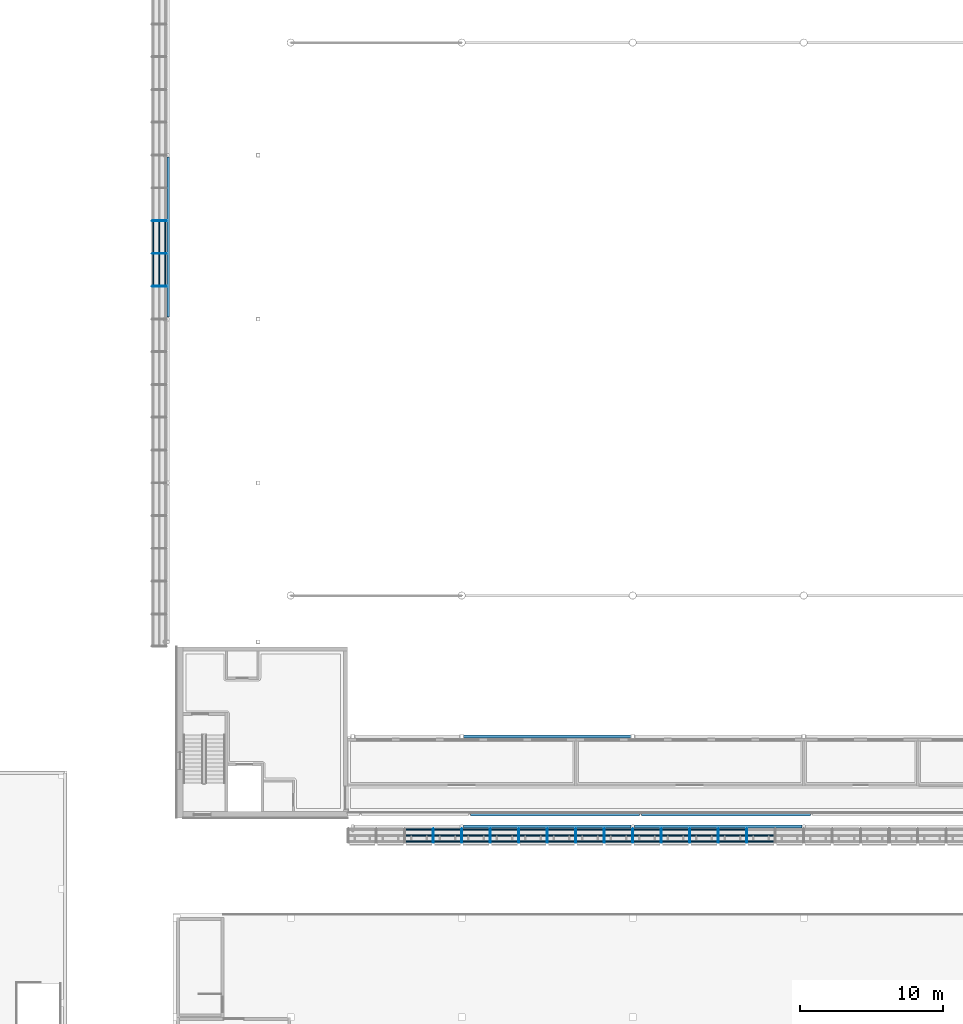
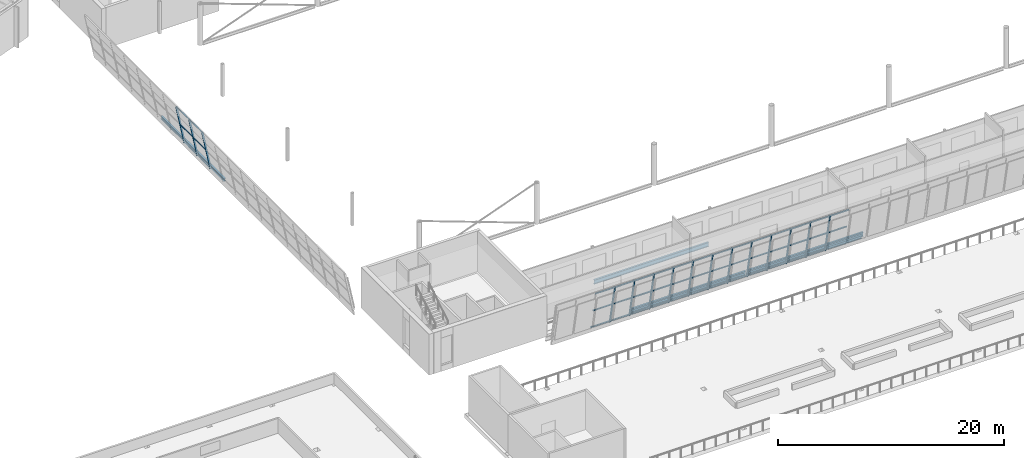
# One storey, part 18 of 95: 59 members, 6 beams, 2 elements without a shape of their own.
"""IFC4 building model written with IfcOpenShell, lengths in metres."""

from ifc_helpers import new_model, si_unit, direction, frame, origin, origin_2d, place, context, subcontext, project, spatial, rectangle, i_section, extrude, material, layer, layer_set, material_profile, profile_set, type_object, element, aggregate, save


model = new_model("IFC4")

# Units and contexts
model_context = context("Model", 3, precision=1e-05, world=origin(), true_north=direction((0.0, 1.0)))
body_context = subcontext(model_context, "Body", "Model", "MODEL_VIEW")
ifc_project = project(units=[si_unit("LENGTHUNIT", "METRE"), si_unit("AREAUNIT", "SQUARE_METRE"), si_unit("VOLUMEUNIT", "CUBIC_METRE"), si_unit("PLANEANGLEUNIT", "RADIAN"), si_unit("MASSUNIT", "GRAM", prefix="KILO")], contexts=[model_context])

# Site, building, storey
site_placement = place(None, origin())
site = spatial("IfcSite", under=ifc_project, at=site_placement, CompositionType="ELEMENT")
building_placement = place(site_placement, origin())
building = spatial("IfcBuilding", under=site, at=building_placement, Name="Windward Yard Aquatics Centre", CompositionType="ELEMENT")
storey_placement = place(building_placement, frame((0.0, 0.0, 9.39990234375)))
storey = spatial("IfcBuildingStorey", under=building, at=storey_placement, Name="L02", CompositionType="ELEMENT", Elevation=9.39990234375)

# Curtain wall, members
ifc_material_1 = material(Name="Glass and aluminium curtain wall", Category="aluminium")
ifc_layer = layer(ifc_material_1, 0.179931640625)
ifc_layer_set = layer_set([ifc_layer], Name="H curtain wall tier 1 double glazed 8+16+8")
curtain_wall_type = type_object("IfcCurtainWallType", Name="H curtain wall tier 1 double glazed 8+16+8", PredefinedType="NOTDEFINED", material=ifc_layer_set)
curtain_wall_1_placement = place(storey_placement, origin())
curtain_wall_1 = element("IfcCurtainWall", 1, at=curtain_wall_1_placement, inside=storey, type_object=curtain_wall_type, Name="Tier 1 glazing S L02", PredefinedType="NOTDEFINED")
ifc_material_2 = material(Name="Aluminium 6063-T6 anodised", Category="aluminium")
ifc_material_profile_1 = material_profile(ifc_material_2, rectangle(XDim=0.06494140625, YDim=0.179931640625, at=origin_2d()), Name="H CW mullion 65x180")
ifc_profile_set_1 = profile_set([ifc_material_profile_1], Name="Aluminium 6063-T6 anodised")
member_type_1 = type_object("IfcMemberType", Name="H CW mullion 65x180", PredefinedType="MULLION", material=ifc_profile_set_1)
member_1_placement = place(storey_placement, frame((69.999267578125, 25.196533203125, 0.0), z_axis=(0.0, -0.199322032497, 0.979934042352), x_axis=(1.0, 0.0, 0.0)))
member_1 = element("IfcMember", 2, at=member_1_placement, type_object=member_type_1, Name="G1SA mullion 4", PredefinedType="MULLION", context=body_context, shape_type="SweptSolid", body=[
    extrude(rectangle(XDim=0.06494140625, YDim=0.179931640625, at=origin_2d()), origin(), (0.0, 0.0, 1.0), 4.31884765625),
])
member_2_placement = place(storey_placement, frame((71.9990234375, 25.196533203125, 0.0), z_axis=(0.0, -0.199322032497, 0.979934042352), x_axis=(1.0, 0.0, 0.0)))
member_2 = element("IfcMember", 3, at=member_2_placement, type_object=member_type_1, Name="G1SA mullion 5", PredefinedType="MULLION", context=body_context, shape_type="SweptSolid", body=[
    extrude(rectangle(XDim=0.06494140625, YDim=0.179931640625, at=origin_2d()), origin(), (0.0, 0.0, 1.0), 4.31884765625),
])
member_3_placement = place(storey_placement, frame((73.998779296875, 25.196533203125, 0.0), z_axis=(0.0, -0.199322032497, 0.979934042352), x_axis=(1.0, 0.0, 0.0)))
member_3 = element("IfcMember", 4, at=member_3_placement, type_object=member_type_1, Name="G1SA mullion 6", PredefinedType="MULLION", context=body_context, shape_type="SweptSolid", body=[
    extrude(rectangle(XDim=0.06494140625, YDim=0.179931640625, at=origin_2d()), origin(), (0.0, 0.0, 1.0), 4.31884765625),
])
member_4_placement = place(storey_placement, frame((75.99853515625, 25.196533203125, 0.0), z_axis=(0.0, -0.199322032497, 0.979934042352), x_axis=(1.0, 0.0, 0.0)))
member_4 = element("IfcMember", 5, at=member_4_placement, type_object=member_type_1, Name="G1SA mullion 7", PredefinedType="MULLION", context=body_context, shape_type="SweptSolid", body=[
    extrude(rectangle(XDim=0.06494140625, YDim=0.179931640625, at=origin_2d()), origin(), (0.0, 0.0, 1.0), 4.31884765625),
])
member_5_placement = place(storey_placement, frame((77.998046875, 25.196533203125, 0.0), z_axis=(0.0, -0.199322032497, 0.979934042352), x_axis=(1.0, 0.0, 0.0)))
member_5 = element("IfcMember", 6, at=member_5_placement, type_object=member_type_1, Name="G1SA mullion 8", PredefinedType="MULLION", context=body_context, shape_type="SweptSolid", body=[
    extrude(rectangle(XDim=0.06494140625, YDim=0.179931640625, at=origin_2d()), origin(), (0.0, 0.0, 1.0), 4.31884765625),
])
member_6_placement = place(storey_placement, frame((79.997802734375, 25.196533203125, 0.0), z_axis=(0.0, -0.199322032497, 0.979934042352), x_axis=(1.0, 0.0, 0.0)))
member_6 = element("IfcMember", 7, at=member_6_placement, type_object=member_type_1, Name="G1SA mullion 9", PredefinedType="MULLION", context=body_context, shape_type="SweptSolid", body=[
    extrude(rectangle(XDim=0.06494140625, YDim=0.179931640625, at=origin_2d()), origin(), (0.0, 0.0, 1.0), 4.31884765625),
])
member_7_placement = place(storey_placement, frame((81.99755859375, 25.196533203125, 0.0), z_axis=(0.0, -0.199322032497, 0.979934042352), x_axis=(1.0, 0.0, 0.0)))
member_7 = element("IfcMember", 8, at=member_7_placement, type_object=member_type_1, Name="G1SA mullion 10", PredefinedType="MULLION", context=body_context, shape_type="SweptSolid", body=[
    extrude(rectangle(XDim=0.06494140625, YDim=0.179931640625, at=origin_2d()), origin(), (0.0, 0.0, 1.0), 4.31884765625),
])
member_8_placement = place(storey_placement, frame((83.997314453125, 25.196533203125, 0.0), z_axis=(0.0, -0.199322032497, 0.979934042352), x_axis=(1.0, 0.0, 0.0)))
member_8 = element("IfcMember", 9, at=member_8_placement, type_object=member_type_1, Name="G1SA mullion 11", PredefinedType="MULLION", context=body_context, shape_type="SweptSolid", body=[
    extrude(rectangle(XDim=0.06494140625, YDim=0.179931640625, at=origin_2d()), origin(), (0.0, 0.0, 1.0), 4.31884765625),
])
member_9_placement = place(storey_placement, frame((85.9970703125, 25.196533203125, 0.0), z_axis=(0.0, -0.199322032497, 0.979934042352), x_axis=(1.0, 0.0, 0.0)))
member_9 = element("IfcMember", 10, at=member_9_placement, type_object=member_type_1, Name="G1SA mullion 12", PredefinedType="MULLION", context=body_context, shape_type="SweptSolid", body=[
    extrude(rectangle(XDim=0.06494140625, YDim=0.179931640625, at=origin_2d()), origin(), (0.0, 0.0, 1.0), 4.31884765625),
])
member_10_placement = place(storey_placement, frame((87.996826171875, 25.196533203125, 0.0), z_axis=(0.0, -0.199322032497, 0.979934042352), x_axis=(1.0, 0.0, 0.0)))
member_10 = element("IfcMember", 11, at=member_10_placement, type_object=member_type_1, Name="G1SA mullion 13", PredefinedType="MULLION", context=body_context, shape_type="SweptSolid", body=[
    extrude(rectangle(XDim=0.06494140625, YDim=0.179931640625, at=origin_2d()), origin(), (0.0, 0.0, 1.0), 4.31884765625),
])
member_11_placement = place(storey_placement, frame((89.99658203125, 25.196533203125, 0.0), z_axis=(0.0, -0.199322032497, 0.979934042352), x_axis=(1.0, 0.0, 0.0)))
member_11 = element("IfcMember", 12, at=member_11_placement, type_object=member_type_1, Name="G1SA mullion 14", PredefinedType="MULLION", context=body_context, shape_type="SweptSolid", body=[
    extrude(rectangle(XDim=0.06494140625, YDim=0.179931640625, at=origin_2d()), origin(), (0.0, 0.0, 1.0), 4.31884765625),
])
member_12_placement = place(storey_placement, frame((91.996337890625, 25.196533203125, 0.0), z_axis=(0.0, -0.199322032497, 0.979934042352), x_axis=(1.0, 0.0, 0.0)))
member_12 = element("IfcMember", 13, at=member_12_placement, type_object=member_type_1, Name="G1SA mullion 15", PredefinedType="MULLION", context=body_context, shape_type="SweptSolid", body=[
    extrude(rectangle(XDim=0.06494140625, YDim=0.179931640625, at=origin_2d()), origin(), (0.0, 0.0, 1.0), 4.31884765625),
])

curtain_wall_2_placement = place(storey_placement, origin())
curtain_wall_2 = element("IfcCurtainWall", 14, at=curtain_wall_2_placement, inside=storey, type_object=curtain_wall_type, Name="Tier 1 glazing W L02", PredefinedType="NOTDEFINED")
member_13_placement = place(storey_placement, frame((51.196533203125, 63.300048828125, 0.0), z_axis=(-0.199322032497, 0.0, 0.979934042352), x_axis=(0.0, -1.0, 0.0)))
member_13 = element("IfcMember", 15, at=member_13_placement, type_object=member_type_1, Name="G1WA mullion 12", PredefinedType="MULLION", context=body_context, shape_type="SweptSolid", body=[
    extrude(rectangle(XDim=0.06494140625, YDim=0.179931640625, at=origin_2d()), origin(), (0.0, 0.0, 1.0), 4.31884765625),
])
member_14_placement = place(storey_placement, frame((51.196533203125, 65.60009765625, 0.0), z_axis=(-0.199322032497, 0.0, 0.979934042352), x_axis=(0.0, -1.0, 0.0)))
member_14 = element("IfcMember", 16, at=member_14_placement, type_object=member_type_1, Name="G1WA mullion 13", PredefinedType="MULLION", context=body_context, shape_type="SweptSolid", body=[
    extrude(rectangle(XDim=0.06494140625, YDim=0.179931640625, at=origin_2d()), origin(), (0.0, 0.0, 1.0), 4.31884765625),
])
member_15_placement = place(storey_placement, frame((51.196533203125, 67.89990234375, 0.0), z_axis=(-0.199322032497, 0.0, 0.979934042352), x_axis=(0.0, -1.0, 0.0)))
member_15 = element("IfcMember", 17, at=member_15_placement, type_object=member_type_1, Name="G1WA mullion 14", PredefinedType="MULLION", context=body_context, shape_type="SweptSolid", body=[
    extrude(rectangle(XDim=0.06494140625, YDim=0.179931640625, at=origin_2d()), origin(), (0.0, 0.0, 1.0), 4.31884765625),
])

# Member
ifc_material_profile_2 = material_profile(ifc_material_2, rectangle(XDim=0.06494140625, YDim=0.10009765625, at=origin_2d()), Name="H CW transom 65x100")
ifc_profile_set_2 = profile_set([ifc_material_profile_2], Name="Aluminium 6063-T6 anodised")
member_type_2 = type_object("IfcMemberType", Name="H CW transom 65x100", PredefinedType="USERDEFINED", material=ifc_profile_set_2)
member_16_placement = place(storey_placement, frame((68.031982421875, 25.186767578125, 0.049072265625), z_axis=(1.0, 0.0, 0.0), x_axis=(0.0, 0.9799247046, 0.19936793452)))
member_16 = element("IfcMember", 18, at=member_16_placement, type_object=member_type_2, Name="G1SA transom 3.1", ObjectType="TRANSOM", PredefinedType="USERDEFINED", context=body_context, shape_type="SweptSolid", body=[
    extrude(rectangle(XDim=0.06494140625, YDim=0.10009765625, at=origin_2d()), origin(), (0.0, 0.0, 1.0), 1.934814453125),
])

member_17_placement = place(storey_placement, frame((68.031982421875, 24.764404296875, 2.125), z_axis=(1.0, 0.0, 0.0), x_axis=(0.0, 0.9799247046, 0.19936793452)))
member_17 = element("IfcMember", 19, at=member_17_placement, type_object=member_type_2, Name="G1SA transom 3.2", ObjectType="TRANSOM", PredefinedType="USERDEFINED", context=body_context, shape_type="SweptSolid", body=[
    extrude(rectangle(XDim=0.06494140625, YDim=0.10009765625, at=origin_2d()), origin(), (0.0, 0.0, 1.0), 1.934814453125),
])

member_18_placement = place(storey_placement, frame((68.031982421875, 24.34326171875, 4.194580078125), z_axis=(1.0, 0.0, 0.0), x_axis=(0.0, 0.9799247046, 0.19936793452)))
member_18 = element("IfcMember", 20, at=member_18_placement, type_object=member_type_2, Name="G1SA transom 3.3", ObjectType="TRANSOM", PredefinedType="USERDEFINED", context=body_context, shape_type="SweptSolid", body=[
    extrude(rectangle(XDim=0.06494140625, YDim=0.10009765625, at=origin_2d()), origin(), (0.0, 0.0, 1.0), 1.934814453125),
])

member_19_placement = place(storey_placement, frame((70.03173828125, 25.186767578125, 0.049072265625), z_axis=(1.0, 0.0, 0.0), x_axis=(0.0, 0.9799247046, 0.19936793452)))
member_19 = element("IfcMember", 21, at=member_19_placement, type_object=member_type_2, Name="G1SA transom 4.1", ObjectType="TRANSOM", PredefinedType="USERDEFINED", context=body_context, shape_type="SweptSolid", body=[
    extrude(rectangle(XDim=0.06494140625, YDim=0.10009765625, at=origin_2d()), origin(), (0.0, 0.0, 1.0), 1.934814453125),
])

member_20_placement = place(storey_placement, frame((70.03173828125, 24.764404296875, 2.125), z_axis=(1.0, 0.0, 0.0), x_axis=(0.0, 0.9799247046, 0.19936793452)))
member_20 = element("IfcMember", 22, at=member_20_placement, type_object=member_type_2, Name="G1SA transom 4.2", ObjectType="TRANSOM", PredefinedType="USERDEFINED", context=body_context, shape_type="SweptSolid", body=[
    extrude(rectangle(XDim=0.06494140625, YDim=0.10009765625, at=origin_2d()), origin(), (0.0, 0.0, 1.0), 1.934814453125),
])

member_21_placement = place(storey_placement, frame((70.03173828125, 24.34326171875, 4.194580078125), z_axis=(1.0, 0.0, 0.0), x_axis=(0.0, 0.9799247046, 0.19936793452)))
member_21 = element("IfcMember", 23, at=member_21_placement, type_object=member_type_2, Name="G1SA transom 4.3", ObjectType="TRANSOM", PredefinedType="USERDEFINED", context=body_context, shape_type="SweptSolid", body=[
    extrude(rectangle(XDim=0.06494140625, YDim=0.10009765625, at=origin_2d()), origin(), (0.0, 0.0, 1.0), 1.934814453125),
])

member_22_placement = place(storey_placement, frame((72.031494140625, 25.186767578125, 0.049072265625), z_axis=(1.0, 0.0, 0.0), x_axis=(0.0, 0.9799247046, 0.19936793452)))
member_22 = element("IfcMember", 24, at=member_22_placement, type_object=member_type_2, Name="G1SA transom 5.1", ObjectType="TRANSOM", PredefinedType="USERDEFINED", context=body_context, shape_type="SweptSolid", body=[
    extrude(rectangle(XDim=0.06494140625, YDim=0.10009765625, at=origin_2d()), origin(), (0.0, 0.0, 1.0), 1.9345703125),
])

member_23_placement = place(storey_placement, frame((72.031494140625, 24.764404296875, 2.125), z_axis=(1.0, 0.0, 0.0), x_axis=(0.0, 0.9799247046, 0.19936793452)))
member_23 = element("IfcMember", 25, at=member_23_placement, type_object=member_type_2, Name="G1SA transom 5.2", ObjectType="TRANSOM", PredefinedType="USERDEFINED", context=body_context, shape_type="SweptSolid", body=[
    extrude(rectangle(XDim=0.06494140625, YDim=0.10009765625, at=origin_2d()), origin(), (0.0, 0.0, 1.0), 1.9345703125),
])

member_24_placement = place(storey_placement, frame((72.031494140625, 24.34326171875, 4.194580078125), z_axis=(1.0, 0.0, 0.0), x_axis=(0.0, 0.9799247046, 0.19936793452)))
member_24 = element("IfcMember", 26, at=member_24_placement, type_object=member_type_2, Name="G1SA transom 5.3", ObjectType="TRANSOM", PredefinedType="USERDEFINED", context=body_context, shape_type="SweptSolid", body=[
    extrude(rectangle(XDim=0.06494140625, YDim=0.10009765625, at=origin_2d()), origin(), (0.0, 0.0, 1.0), 1.9345703125),
])

member_25_placement = place(storey_placement, frame((74.03125, 25.186767578125, 0.049072265625), z_axis=(1.0, 0.0, 0.0), x_axis=(0.0, 0.9799247046, 0.19936793452)))
member_25 = element("IfcMember", 27, at=member_25_placement, type_object=member_type_2, Name="G1SA transom 6.1", ObjectType="TRANSOM", PredefinedType="USERDEFINED", context=body_context, shape_type="SweptSolid", body=[
    extrude(rectangle(XDim=0.06494140625, YDim=0.10009765625, at=origin_2d()), origin(), (0.0, 0.0, 1.0), 1.9345703125),
])

member_26_placement = place(storey_placement, frame((74.03125, 24.764404296875, 2.125), z_axis=(1.0, 0.0, 0.0), x_axis=(0.0, 0.9799247046, 0.19936793452)))
member_26 = element("IfcMember", 28, at=member_26_placement, type_object=member_type_2, Name="G1SA transom 6.2", ObjectType="TRANSOM", PredefinedType="USERDEFINED", context=body_context, shape_type="SweptSolid", body=[
    extrude(rectangle(XDim=0.06494140625, YDim=0.10009765625, at=origin_2d()), origin(), (0.0, 0.0, 1.0), 1.9345703125),
])

member_27_placement = place(storey_placement, frame((74.03125, 24.34326171875, 4.194580078125), z_axis=(1.0, 0.0, 0.0), x_axis=(0.0, 0.9799247046, 0.19936793452)))
member_27 = element("IfcMember", 29, at=member_27_placement, type_object=member_type_2, Name="G1SA transom 6.3", ObjectType="TRANSOM", PredefinedType="USERDEFINED", context=body_context, shape_type="SweptSolid", body=[
    extrude(rectangle(XDim=0.06494140625, YDim=0.10009765625, at=origin_2d()), origin(), (0.0, 0.0, 1.0), 1.9345703125),
])

member_28_placement = place(storey_placement, frame((76.031005859375, 25.186767578125, 0.049072265625), z_axis=(1.0, 0.0, 0.0), x_axis=(0.0, 0.9799247046, 0.19936793452)))
member_28 = element("IfcMember", 30, at=member_28_placement, type_object=member_type_2, Name="G1SA transom 7.1", ObjectType="TRANSOM", PredefinedType="USERDEFINED", context=body_context, shape_type="SweptSolid", body=[
    extrude(rectangle(XDim=0.06494140625, YDim=0.10009765625, at=origin_2d()), origin(), (0.0, 0.0, 1.0), 1.9345703125),
])

member_29_placement = place(storey_placement, frame((76.031005859375, 24.764404296875, 2.125), z_axis=(1.0, 0.0, 0.0), x_axis=(0.0, 0.9799247046, 0.19936793452)))
member_29 = element("IfcMember", 31, at=member_29_placement, type_object=member_type_2, Name="G1SA transom 7.2", ObjectType="TRANSOM", PredefinedType="USERDEFINED", context=body_context, shape_type="SweptSolid", body=[
    extrude(rectangle(XDim=0.06494140625, YDim=0.10009765625, at=origin_2d()), origin(), (0.0, 0.0, 1.0), 1.9345703125),
])

member_30_placement = place(storey_placement, frame((76.031005859375, 24.34326171875, 4.194580078125), z_axis=(1.0, 0.0, 0.0), x_axis=(0.0, 0.9799247046, 0.19936793452)))
member_30 = element("IfcMember", 32, at=member_30_placement, type_object=member_type_2, Name="G1SA transom 7.3", ObjectType="TRANSOM", PredefinedType="USERDEFINED", context=body_context, shape_type="SweptSolid", body=[
    extrude(rectangle(XDim=0.06494140625, YDim=0.10009765625, at=origin_2d()), origin(), (0.0, 0.0, 1.0), 1.9345703125),
])

member_31_placement = place(storey_placement, frame((78.03076171875, 25.186767578125, 0.049072265625), z_axis=(1.0, 0.0, 0.0), x_axis=(0.0, 0.9799247046, 0.19936793452)))
member_31 = element("IfcMember", 33, at=member_31_placement, type_object=member_type_2, Name="G1SA transom 8.1", ObjectType="TRANSOM", PredefinedType="USERDEFINED", context=body_context, shape_type="SweptSolid", body=[
    extrude(rectangle(XDim=0.06494140625, YDim=0.10009765625, at=origin_2d()), origin(), (0.0, 0.0, 1.0), 1.9345703125),
])

member_32_placement = place(storey_placement, frame((78.03076171875, 24.764404296875, 2.125), z_axis=(1.0, 0.0, 0.0), x_axis=(0.0, 0.9799247046, 0.19936793452)))
member_32 = element("IfcMember", 34, at=member_32_placement, type_object=member_type_2, Name="G1SA transom 8.2", ObjectType="TRANSOM", PredefinedType="USERDEFINED", context=body_context, shape_type="SweptSolid", body=[
    extrude(rectangle(XDim=0.06494140625, YDim=0.10009765625, at=origin_2d()), origin(), (0.0, 0.0, 1.0), 1.9345703125),
])

member_33_placement = place(storey_placement, frame((78.03076171875, 24.34326171875, 4.194580078125), z_axis=(1.0, 0.0, 0.0), x_axis=(0.0, 0.9799247046, 0.19936793452)))
member_33 = element("IfcMember", 35, at=member_33_placement, type_object=member_type_2, Name="G1SA transom 8.3", ObjectType="TRANSOM", PredefinedType="USERDEFINED", context=body_context, shape_type="SweptSolid", body=[
    extrude(rectangle(XDim=0.06494140625, YDim=0.10009765625, at=origin_2d()), origin(), (0.0, 0.0, 1.0), 1.9345703125),
])

member_34_placement = place(storey_placement, frame((80.0302734375, 25.186767578125, 0.049072265625), z_axis=(1.0, 0.0, 0.0), x_axis=(0.0, 0.9799247046, 0.19936793452)))
member_34 = element("IfcMember", 36, at=member_34_placement, type_object=member_type_2, Name="G1SA transom 9.1", ObjectType="TRANSOM", PredefinedType="USERDEFINED", context=body_context, shape_type="SweptSolid", body=[
    extrude(rectangle(XDim=0.06494140625, YDim=0.10009765625, at=origin_2d()), origin(), (0.0, 0.0, 1.0), 1.934814453125),
])

member_35_placement = place(storey_placement, frame((80.0302734375, 24.764404296875, 2.125), z_axis=(1.0, 0.0, 0.0), x_axis=(0.0, 0.9799247046, 0.19936793452)))
member_35 = element("IfcMember", 37, at=member_35_placement, type_object=member_type_2, Name="G1SA transom 9.2", ObjectType="TRANSOM", PredefinedType="USERDEFINED", context=body_context, shape_type="SweptSolid", body=[
    extrude(rectangle(XDim=0.06494140625, YDim=0.10009765625, at=origin_2d()), origin(), (0.0, 0.0, 1.0), 1.934814453125),
])

member_36_placement = place(storey_placement, frame((80.0302734375, 24.34326171875, 4.194580078125), z_axis=(1.0, 0.0, 0.0), x_axis=(0.0, 0.9799247046, 0.19936793452)))
member_36 = element("IfcMember", 38, at=member_36_placement, type_object=member_type_2, Name="G1SA transom 9.3", ObjectType="TRANSOM", PredefinedType="USERDEFINED", context=body_context, shape_type="SweptSolid", body=[
    extrude(rectangle(XDim=0.06494140625, YDim=0.10009765625, at=origin_2d()), origin(), (0.0, 0.0, 1.0), 1.934814453125),
])

member_37_placement = place(storey_placement, frame((82.030029296875, 25.186767578125, 0.049072265625), z_axis=(1.0, 0.0, 0.0), x_axis=(0.0, 0.9799247046, 0.19936793452)))
member_37 = element("IfcMember", 39, at=member_37_placement, type_object=member_type_2, Name="G1SA transom 10.1", ObjectType="TRANSOM", PredefinedType="USERDEFINED", context=body_context, shape_type="SweptSolid", body=[
    extrude(rectangle(XDim=0.06494140625, YDim=0.10009765625, at=origin_2d()), origin(), (0.0, 0.0, 1.0), 1.934814453125),
])

member_38_placement = place(storey_placement, frame((82.030029296875, 24.764404296875, 2.125), z_axis=(1.0, 0.0, 0.0), x_axis=(0.0, 0.9799247046, 0.19936793452)))
member_38 = element("IfcMember", 40, at=member_38_placement, type_object=member_type_2, Name="G1SA transom 10.2", ObjectType="TRANSOM", PredefinedType="USERDEFINED", context=body_context, shape_type="SweptSolid", body=[
    extrude(rectangle(XDim=0.06494140625, YDim=0.10009765625, at=origin_2d()), origin(), (0.0, 0.0, 1.0), 1.934814453125),
])

member_39_placement = place(storey_placement, frame((82.030029296875, 24.34326171875, 4.194580078125), z_axis=(1.0, 0.0, 0.0), x_axis=(0.0, 0.9799247046, 0.19936793452)))
member_39 = element("IfcMember", 41, at=member_39_placement, type_object=member_type_2, Name="G1SA transom 10.3", ObjectType="TRANSOM", PredefinedType="USERDEFINED", context=body_context, shape_type="SweptSolid", body=[
    extrude(rectangle(XDim=0.06494140625, YDim=0.10009765625, at=origin_2d()), origin(), (0.0, 0.0, 1.0), 1.934814453125),
])

member_40_placement = place(storey_placement, frame((84.02978515625, 25.186767578125, 0.049072265625), z_axis=(1.0, 0.0, 0.0), x_axis=(0.0, 0.9799247046, 0.19936793452)))
member_40 = element("IfcMember", 42, at=member_40_placement, type_object=member_type_2, Name="G1SA transom 11.1", ObjectType="TRANSOM", PredefinedType="USERDEFINED", context=body_context, shape_type="SweptSolid", body=[
    extrude(rectangle(XDim=0.06494140625, YDim=0.10009765625, at=origin_2d()), origin(), (0.0, 0.0, 1.0), 1.934814453125),
])

member_41_placement = place(storey_placement, frame((84.02978515625, 24.764404296875, 2.125), z_axis=(1.0, 0.0, 0.0), x_axis=(0.0, 0.9799247046, 0.19936793452)))
member_41 = element("IfcMember", 43, at=member_41_placement, type_object=member_type_2, Name="G1SA transom 11.2", ObjectType="TRANSOM", PredefinedType="USERDEFINED", context=body_context, shape_type="SweptSolid", body=[
    extrude(rectangle(XDim=0.06494140625, YDim=0.10009765625, at=origin_2d()), origin(), (0.0, 0.0, 1.0), 1.934814453125),
])

member_42_placement = place(storey_placement, frame((84.02978515625, 24.34326171875, 4.194580078125), z_axis=(1.0, 0.0, 0.0), x_axis=(0.0, 0.9799247046, 0.19936793452)))
member_42 = element("IfcMember", 44, at=member_42_placement, type_object=member_type_2, Name="G1SA transom 11.3", ObjectType="TRANSOM", PredefinedType="USERDEFINED", context=body_context, shape_type="SweptSolid", body=[
    extrude(rectangle(XDim=0.06494140625, YDim=0.10009765625, at=origin_2d()), origin(), (0.0, 0.0, 1.0), 1.934814453125),
])

member_43_placement = place(storey_placement, frame((86.029541015625, 25.186767578125, 0.049072265625), z_axis=(1.0, 0.0, 0.0), x_axis=(0.0, 0.9799247046, 0.19936793452)))
member_43 = element("IfcMember", 45, at=member_43_placement, type_object=member_type_2, Name="G1SA transom 12.1", ObjectType="TRANSOM", PredefinedType="USERDEFINED", context=body_context, shape_type="SweptSolid", body=[
    extrude(rectangle(XDim=0.06494140625, YDim=0.10009765625, at=origin_2d()), origin(), (0.0, 0.0, 1.0), 1.934814453125),
])

member_44_placement = place(storey_placement, frame((86.029541015625, 24.764404296875, 2.125), z_axis=(1.0, 0.0, 0.0), x_axis=(0.0, 0.9799247046, 0.19936793452)))
member_44 = element("IfcMember", 46, at=member_44_placement, type_object=member_type_2, Name="G1SA transom 12.2", ObjectType="TRANSOM", PredefinedType="USERDEFINED", context=body_context, shape_type="SweptSolid", body=[
    extrude(rectangle(XDim=0.06494140625, YDim=0.10009765625, at=origin_2d()), origin(), (0.0, 0.0, 1.0), 1.934814453125),
])

member_45_placement = place(storey_placement, frame((86.029541015625, 24.34326171875, 4.194580078125), z_axis=(1.0, 0.0, 0.0), x_axis=(0.0, 0.9799247046, 0.19936793452)))
member_45 = element("IfcMember", 47, at=member_45_placement, type_object=member_type_2, Name="G1SA transom 12.3", ObjectType="TRANSOM", PredefinedType="USERDEFINED", context=body_context, shape_type="SweptSolid", body=[
    extrude(rectangle(XDim=0.06494140625, YDim=0.10009765625, at=origin_2d()), origin(), (0.0, 0.0, 1.0), 1.934814453125),
])

member_46_placement = place(storey_placement, frame((88.029296875, 25.186767578125, 0.049072265625), z_axis=(1.0, 0.0, 0.0), x_axis=(0.0, 0.9799247046, 0.19936793452)))
member_46 = element("IfcMember", 48, at=member_46_placement, type_object=member_type_2, Name="G1SA transom 13.1", ObjectType="TRANSOM", PredefinedType="USERDEFINED", context=body_context, shape_type="SweptSolid", body=[
    extrude(rectangle(XDim=0.06494140625, YDim=0.10009765625, at=origin_2d()), origin(), (0.0, 0.0, 1.0), 1.934814453125),
])

member_47_placement = place(storey_placement, frame((88.029296875, 24.764404296875, 2.125), z_axis=(1.0, 0.0, 0.0), x_axis=(0.0, 0.9799247046, 0.19936793452)))
member_47 = element("IfcMember", 49, at=member_47_placement, type_object=member_type_2, Name="G1SA transom 13.2", ObjectType="TRANSOM", PredefinedType="USERDEFINED", context=body_context, shape_type="SweptSolid", body=[
    extrude(rectangle(XDim=0.06494140625, YDim=0.10009765625, at=origin_2d()), origin(), (0.0, 0.0, 1.0), 1.934814453125),
])

member_48_placement = place(storey_placement, frame((88.029296875, 24.34326171875, 4.194580078125), z_axis=(1.0, 0.0, 0.0), x_axis=(0.0, 0.9799247046, 0.19936793452)))
member_48 = element("IfcMember", 50, at=member_48_placement, type_object=member_type_2, Name="G1SA transom 13.3", ObjectType="TRANSOM", PredefinedType="USERDEFINED", context=body_context, shape_type="SweptSolid", body=[
    extrude(rectangle(XDim=0.06494140625, YDim=0.10009765625, at=origin_2d()), origin(), (0.0, 0.0, 1.0), 1.934814453125),
])

member_49_placement = place(storey_placement, frame((90.029052734375, 25.186767578125, 0.049072265625), z_axis=(1.0, 0.0, 0.0), x_axis=(0.0, 0.9799247046, 0.19936793452)))
member_49 = element("IfcMember", 51, at=member_49_placement, type_object=member_type_2, Name="G1SA transom 14.1", ObjectType="TRANSOM", PredefinedType="USERDEFINED", context=body_context, shape_type="SweptSolid", body=[
    extrude(rectangle(XDim=0.06494140625, YDim=0.10009765625, at=origin_2d()), origin(), (0.0, 0.0, 1.0), 1.934814453125),
])

member_50_placement = place(storey_placement, frame((90.029052734375, 24.764404296875, 2.125), z_axis=(1.0, 0.0, 0.0), x_axis=(0.0, 0.9799247046, 0.19936793452)))
member_50 = element("IfcMember", 52, at=member_50_placement, type_object=member_type_2, Name="G1SA transom 14.2", ObjectType="TRANSOM", PredefinedType="USERDEFINED", context=body_context, shape_type="SweptSolid", body=[
    extrude(rectangle(XDim=0.06494140625, YDim=0.10009765625, at=origin_2d()), origin(), (0.0, 0.0, 1.0), 1.934814453125),
])

member_51_placement = place(storey_placement, frame((90.029052734375, 24.34326171875, 4.194580078125), z_axis=(1.0, 0.0, 0.0), x_axis=(0.0, 0.9799247046, 0.19936793452)))
member_51 = element("IfcMember", 53, at=member_51_placement, type_object=member_type_2, Name="G1SA transom 14.3", ObjectType="TRANSOM", PredefinedType="USERDEFINED", context=body_context, shape_type="SweptSolid", body=[
    extrude(rectangle(XDim=0.06494140625, YDim=0.10009765625, at=origin_2d()), origin(), (0.0, 0.0, 1.0), 1.934814453125),
])

member_52_placement = place(storey_placement, frame((92.02880859375, 24.764404296875, 2.125), z_axis=(1.0, 0.0, 0.0), x_axis=(0.0, 0.9799247046, 0.19936793452)))
member_52 = element("IfcMember", 54, at=member_52_placement, type_object=member_type_2, Name="G1SA transom 15.2", ObjectType="TRANSOM", PredefinedType="USERDEFINED", context=body_context, shape_type="SweptSolid", body=[
    extrude(rectangle(XDim=0.06494140625, YDim=0.10009765625, at=origin_2d()), origin(), (0.0, 0.0, 1.0), 1.934814453125),
])

member_53_placement = place(storey_placement, frame((92.02880859375, 24.34326171875, 4.194580078125), z_axis=(1.0, 0.0, 0.0), x_axis=(0.0, 0.9799247046, 0.19936793452)))
member_53 = element("IfcMember", 55, at=member_53_placement, type_object=member_type_2, Name="G1SA transom 15.3", ObjectType="TRANSOM", PredefinedType="USERDEFINED", context=body_context, shape_type="SweptSolid", body=[
    extrude(rectangle(XDim=0.06494140625, YDim=0.10009765625, at=origin_2d()), origin(), (0.0, 0.0, 1.0), 1.934814453125),
])

aggregate(curtain_wall_1, [member_1, member_2, member_3, member_4, member_5, member_6, member_7, member_8, member_9, member_10, member_11, member_12, member_16, member_17, member_18, member_19, member_20, member_21, member_22, member_23, member_24, member_25, member_26, member_27, member_28, member_29, member_30, member_31, member_32, member_33, member_34, member_35, member_36, member_37, member_38, member_39, member_40, member_41, member_42, member_43, member_44, member_45, member_46, member_47, member_48, member_49, member_50, member_51, member_52, member_53])

member_54_placement = place(storey_placement, frame((51.186767578125, 63.33251953125, 0.049072265625), z_axis=(0.0, 1.0, 0.0), x_axis=(0.9799247046, 0.0, 0.19936793452)))
member_54 = element("IfcMember", 56, at=member_54_placement, type_object=member_type_2, Name="G1WA transom 12.1", ObjectType="TRANSOM", PredefinedType="USERDEFINED", context=body_context, shape_type="SweptSolid", body=[
    extrude(rectangle(XDim=0.06494140625, YDim=0.10009765625, at=origin_2d()), origin(), (0.0, 0.0, 1.0), 2.23486328125),
])

member_55_placement = place(storey_placement, frame((50.764404296875, 63.33251953125, 2.125), z_axis=(0.0, 1.0, 0.0), x_axis=(0.9799247046, 0.0, 0.19936793452)))
member_55 = element("IfcMember", 57, at=member_55_placement, type_object=member_type_2, Name="G1WA transom 12.2", ObjectType="TRANSOM", PredefinedType="USERDEFINED", context=body_context, shape_type="SweptSolid", body=[
    extrude(rectangle(XDim=0.06494140625, YDim=0.10009765625, at=origin_2d()), origin(), (0.0, 0.0, 1.0), 2.23486328125),
])

member_56_placement = place(storey_placement, frame((50.34326171875, 63.33251953125, 4.194580078125), z_axis=(0.0, 1.0, 0.0), x_axis=(0.9799247046, 0.0, 0.19936793452)))
member_56 = element("IfcMember", 58, at=member_56_placement, type_object=member_type_2, Name="G1WA transom 12.3", ObjectType="TRANSOM", PredefinedType="USERDEFINED", context=body_context, shape_type="SweptSolid", body=[
    extrude(rectangle(XDim=0.06494140625, YDim=0.10009765625, at=origin_2d()), origin(), (0.0, 0.0, 1.0), 2.23486328125),
])

member_57_placement = place(storey_placement, frame((51.186767578125, 65.632568359375, 0.049072265625), z_axis=(0.0, 1.0, 0.0), x_axis=(0.9799247046, 0.0, 0.19936793452)))
member_57 = element("IfcMember", 59, at=member_57_placement, type_object=member_type_2, Name="G1WA transom 13.1", ObjectType="TRANSOM", PredefinedType="USERDEFINED", context=body_context, shape_type="SweptSolid", body=[
    extrude(rectangle(XDim=0.06494140625, YDim=0.10009765625, at=origin_2d()), origin(), (0.0, 0.0, 1.0), 2.23486328125),
])

member_58_placement = place(storey_placement, frame((50.764404296875, 65.632568359375, 2.125), z_axis=(0.0, 1.0, 0.0), x_axis=(0.9799247046, 0.0, 0.19936793452)))
member_58 = element("IfcMember", 60, at=member_58_placement, type_object=member_type_2, Name="G1WA transom 13.2", ObjectType="TRANSOM", PredefinedType="USERDEFINED", context=body_context, shape_type="SweptSolid", body=[
    extrude(rectangle(XDim=0.06494140625, YDim=0.10009765625, at=origin_2d()), origin(), (0.0, 0.0, 1.0), 2.23486328125),
])

member_59_placement = place(storey_placement, frame((50.34326171875, 65.632568359375, 4.194580078125), z_axis=(0.0, 1.0, 0.0), x_axis=(0.9799247046, 0.0, 0.19936793452)))
member_59 = element("IfcMember", 61, at=member_59_placement, type_object=member_type_2, Name="G1WA transom 13.3", ObjectType="TRANSOM", PredefinedType="USERDEFINED", context=body_context, shape_type="SweptSolid", body=[
    extrude(rectangle(XDim=0.06494140625, YDim=0.10009765625, at=origin_2d()), origin(), (0.0, 0.0, 1.0), 2.23486328125),
])

aggregate(curtain_wall_2, [member_13, member_14, member_15, member_54, member_55, member_56, member_57, member_58, member_59])

# Beams
ifc_material_3 = material(Name="Steel ASTM A992 Gr 50", Category="steel")
ifc_material_profile_3 = material_profile(ifc_material_3, i_section(OverallWidth=0.19091796875, OverallDepth=0.45703125, WebThickness=0.009033203125, FlangeThickness=0.014404296875, at=origin_2d()), Name="W460X74")
ifc_profile_set_3 = profile_set([ifc_material_profile_3], Name="Steel ASTM A992 Gr 50")
beam_type_1 = type_object("IfcBeamType", Name="H gallery edge beam W460X74", PredefinedType="BEAM", material=ifc_profile_set_3)
for number, where, z_axis, x_axis, name in (
    (62, (72.626220703125, 26.22509765625, -0.428466796875), (1.0, 0.0, 0.0), (0.0, 1.0, 0.0), "H.GB.S.O3"),
    (63, (84.626220703125, 26.22509765625, -0.428466796875), (1.0, 0.0, 0.0), (0.0, 1.0, 0.0), "H.GB.S.O4"),
):
    element("IfcBeam", number, at=place(storey_placement, frame(where, z_axis=z_axis, x_axis=x_axis)), inside=storey, type_object=beam_type_1, Name=name, PredefinedType="BEAM", context=body_context, shape_type="SweptSolid", body=[
        extrude(i_section(OverallWidth=0.19091796875, OverallDepth=0.45703125, WebThickness=0.009033203125, FlangeThickness=0.014404296875, at=origin_2d()), origin(), (0.0, 0.0, 1.0), 11.84765625),
    ])
beam_1_placement = place(storey_placement, frame((72.126953125, 31.709716796875, -0.428466796875), z_axis=(1.0, 0.0, 0.0), x_axis=(0.0, 1.0, 0.0)))
element("IfcBeam", 64, at=beam_1_placement, inside=storey, type_object=beam_type_1, Name="H.GB.S.I2", PredefinedType="BEAM", context=body_context, shape_type="SweptSolid", body=[
    extrude(i_section(OverallWidth=0.19091796875, OverallDepth=0.45703125, WebThickness=0.009033203125, FlangeThickness=0.014404296875, at=origin_2d()), origin(), (0.0, 0.0, 1.0), 11.74609375),
])
ifc_material_profile_4 = material_profile(ifc_material_3, i_section(OverallWidth=0.202880859375, OverallDepth=0.302001953125, WebThickness=0.007568359375, FlangeThickness=0.01318359375, at=origin_2d()), Name="W310X60")
ifc_profile_set_4 = profile_set([ifc_material_profile_4], Name="Steel ASTM A992 Gr 50")
beam_type_2 = type_object("IfcBeamType", Name="H tier ring beam W310X60", PredefinedType="BEAM", material=ifc_profile_set_4)
for number, where, z_axis, x_axis, name in (
    (65, (72.136474609375, 25.40478515625, 0.0), (1.0, 0.0, 0.0), (0.0, 1.0, 0.0), "H.RG.S2.1"),
    (66, (84.136474609375, 25.40478515625, 0.0), (1.0, 0.0, 0.0), (0.0, 1.0, 0.0), "H.RG.S3.1"),
):
    element("IfcBeam", number, at=place(storey_placement, frame(where, z_axis=z_axis, x_axis=x_axis)), inside=storey, type_object=beam_type_2, Name=name, PredefinedType="BEAM", context=body_context, shape_type="SweptSolid", body=[
        extrude(i_section(OverallWidth=0.202880859375, OverallDepth=0.302001953125, WebThickness=0.007568359375, FlangeThickness=0.01318359375, at=origin_2d()), origin(), (0.0, 0.0, 1.0), 11.72705078125),
    ])
beam_2_placement = place(storey_placement, frame((51.40478515625, 61.136474609375, 0.0), z_axis=(0.0, 1.0, 0.0), x_axis=(-1.0, 0.0, 0.0)))
element("IfcBeam", 67, at=beam_2_placement, inside=storey, type_object=beam_type_2, Name="H.RG.W3.1", PredefinedType="BEAM", context=body_context, shape_type="SweptSolid", body=[
    extrude(i_section(OverallWidth=0.202880859375, OverallDepth=0.302001953125, WebThickness=0.007568359375, FlangeThickness=0.01318359375, at=origin_2d()), origin(), (0.0, 0.0, 1.0), 11.22705078125),
])

save(model, "model.ifc")
